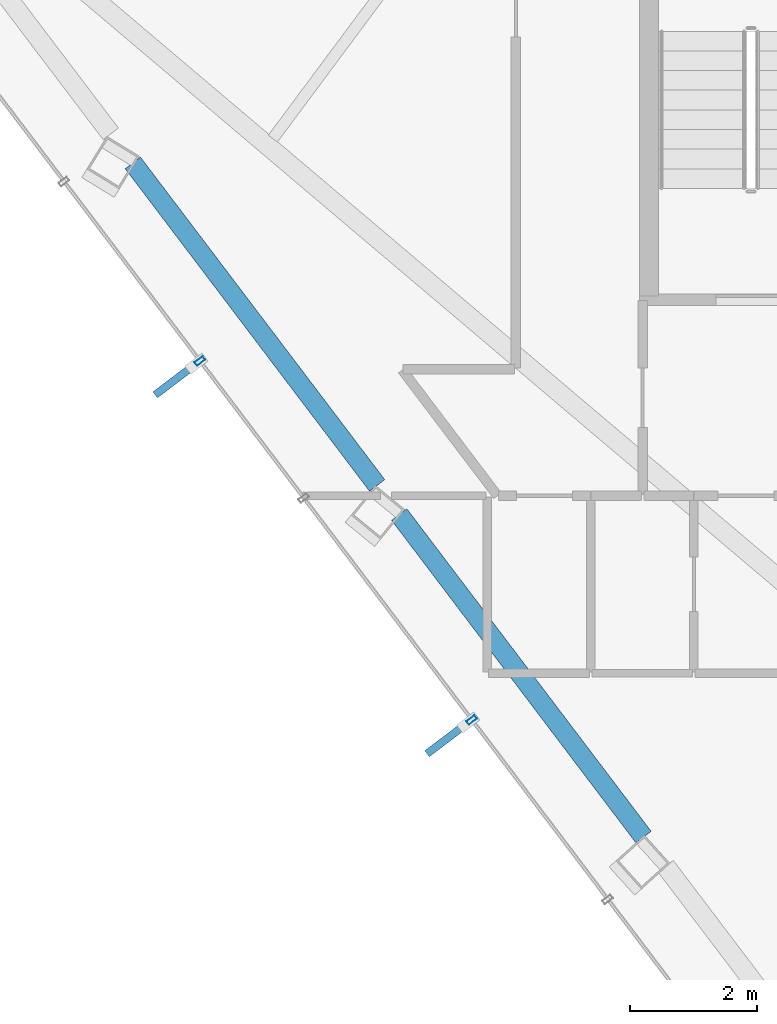
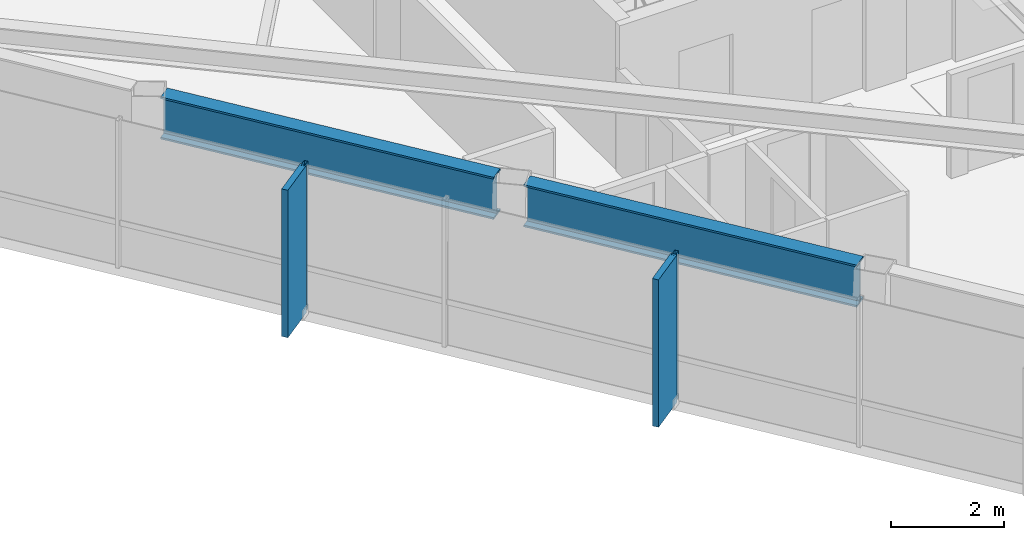
# One storey, part 3 of 27: 4 members, 2 beams, 1 element without a shape of its own.
"""IFC4 building model written with IfcOpenShell, lengths in metres."""

from ifc_helpers import new_model, si_unit, direction, frame, origin, origin_2d, place, context, subcontext, project, spatial, rectangle, hollow_rectangle, i_section, extrude, material, layer, layer_set, material_profile, profile_set, type_object, element, aggregate, save


model = new_model("IFC4")

# Units and contexts
model_context = context("Model", 3, precision=1e-05, world=origin(), true_north=direction((0.0, 1.0)))
body_context = subcontext(model_context, "Body", "Model", "MODEL_VIEW")
ifc_project = project(units=[si_unit("LENGTHUNIT", "METRE"), si_unit("AREAUNIT", "SQUARE_METRE"), si_unit("VOLUMEUNIT", "CUBIC_METRE"), si_unit("PLANEANGLEUNIT", "RADIAN"), si_unit("MASSUNIT", "GRAM", prefix="KILO")], contexts=[model_context])

# Site, building, storey
site_placement = place(None, origin())
site = spatial("IfcSite", under=ifc_project, at=site_placement, CompositionType="ELEMENT")
building_placement = place(site_placement, origin())
building = spatial("IfcBuilding", under=site, at=building_placement, Name="Zarrinselat Tower", CompositionType="ELEMENT")
storey_placement = place(building_placement, frame((0.0, 0.0, 225.760009765625)))
storey = spatial("IfcBuildingStorey", under=building, at=storey_placement, Name="L56", CompositionType="ELEMENT", Elevation=225.760009765625)

# Beams
ifc_material_1 = material(Name="Steel S460M", Category="steel")
ifc_material_profile_1 = material_profile(ifc_material_1, i_section(OverallWidth=0.302001953125, OverallDepth=0.909912109375, WebThickness=0.02099609375, FlangeThickness=0.0400390625, at=origin_2d()), Name="HEM 900")
ifc_profile_set_1 = profile_set([ifc_material_profile_1], Name="Steel S460M")
beam_type = type_object("IfcBeamType", Name="BM-HEM900", PredefinedType="BEAM", material=ifc_profile_set_1)
for number, where, z_axis, x_axis, name in (
    (1, (20.504638671875, 35.402587890625, 2.72509765625), (0.60388933811, -0.797068169806, 0.0), (0.797068169806, 0.60388933811, 0.0), "L56 Perimeter Spandrel Girder SP07"),
    (2, (24.708740234375, 29.853271484375, 2.72509765625), (0.603846647115, -0.797100512337, 0.0), (0.797100512337, 0.603846647115, 0.0), "L56 Perimeter Spandrel Girder SP08"),
):
    element("IfcBeam", number, at=place(storey_placement, frame(where, z_axis=z_axis, x_axis=x_axis)), inside=storey, type_object=beam_type, Name=name, PredefinedType="BEAM", context=body_context, shape_type="SweptSolid", body=[
        extrude(i_section(OverallWidth=0.302001953125, OverallDepth=0.909912109375, WebThickness=0.02099609375, FlangeThickness=0.0400390625, at=origin_2d()), origin(), (0.0, 0.0, 1.0), 6.385986328125),
    ])

# Curtain wall, members
ifc_material_2 = material(Name="Extruded Aluminium Alloy EN AW-6063 T6", Category="aluminium")
ifc_layer = layer(ifc_material_2, 0.169921875)
ifc_layer_set = layer_set([ifc_layer], Name="Extruded Aluminium Alloy EN AW-6063 T6")
curtain_wall_type = type_object("IfcCurtainWallType", Name="CWS-RES", PredefinedType="NOTDEFINED", material=ifc_layer_set)
curtain_wall_placement = place(storey_placement, origin())
curtain_wall = element("IfcCurtainWall", 3, at=curtain_wall_placement, inside=storey, type_object=curtain_wall_type, Name="L56 Unitised Curtain Wall CW-L56-E03", PredefinedType="NOTDEFINED")
ifc_material_3 = material(Name="Extruded Aluminium Alloy EN AW-6063 T6", Category="aluminium")
ifc_material_profile_2 = material_profile(ifc_material_3, hollow_rectangle(XDim=0.070068359375, YDim=0.159912109375, WallThickness=0.00390625, at=origin_2d()), Name="RHS 160x70x4")
ifc_profile_set_2 = profile_set([ifc_material_profile_2], Name="Extruded Aluminium Alloy EN AW-6063 T6")
member_type_1 = type_object("IfcMemberType", Name="MEM-CW-MUL2", PredefinedType="MULLION", material=ifc_profile_set_2)
member_1_placement = place(storey_placement, frame((21.562744140625, 32.2763671875, 0.0), z_axis=(0.0, 0.0, 1.0), x_axis=(0.603859787908, -0.797090557307, 0.0)))
member_1 = element("IfcMember", 4, at=member_1_placement, type_object=member_type_1, Name="CW-L56-E03 Mullion 3", PredefinedType="MULLION", context=body_context, shape_type="SweptSolid", body=[
    extrude(hollow_rectangle(XDim=0.070068359375, YDim=0.159912109375, WallThickness=0.00390625, at=origin_2d()), origin(), (0.0, 0.0, 1.0), 3.179931640625),
])
member_2_placement = place(storey_placement, frame((25.853515625, 26.6123046875, 0.0), z_axis=(0.0, 0.0, 1.0), x_axis=(0.603859787908, -0.797090557307, 0.0)))
member_2 = element("IfcMember", 5, at=member_2_placement, type_object=member_type_1, Name="CW-L56-E03 Mullion 5", PredefinedType="MULLION", context=body_context, shape_type="SweptSolid", body=[
    extrude(hollow_rectangle(XDim=0.070068359375, YDim=0.159912109375, WallThickness=0.00390625, at=origin_2d()), origin(), (0.0, 0.0, 1.0), 3.179931640625),
])
ifc_material_4 = material(Name="Honed Cream Travertine Stone", Category="masonry")
ifc_material_profile_3 = material_profile(ifc_material_4, rectangle(XDim=0.1201171875, YDim=0.85009765625, at=origin_2d()), Name="FIN 850x120")
ifc_profile_set_3 = profile_set([ifc_material_profile_3], Name="Honed Cream Travertine Stone")
member_type_2 = type_object("IfcMemberType", Name="MEM-STONE-FIN", PredefinedType="USERDEFINED", material=ifc_profile_set_3)
member_3_placement = place(storey_placement, frame((21.196044921875, 31.99853515625, 0.0), z_axis=(0.0, 0.0, 1.0), x_axis=(-0.603859787908, 0.797090557307, 0.0)))
member_3 = element("IfcMember", 6, at=member_3_placement, type_object=member_type_2, Name="L56 Stone Shading Fin CW-L56-E03-03", ObjectType="FIN", PredefinedType="USERDEFINED", context=body_context, shape_type="SweptSolid", body=[
    extrude(rectangle(XDim=0.1201171875, YDim=0.85009765625, at=origin_2d()), origin(), (0.0, 0.0, 1.0), 3.179931640625),
])
member_4_placement = place(storey_placement, frame((25.48681640625, 26.334716796875, 0.0), z_axis=(0.0, 0.0, 1.0), x_axis=(-0.603859787908, 0.797090557307, 0.0)))
member_4 = element("IfcMember", 7, at=member_4_placement, type_object=member_type_2, Name="L56 Stone Shading Fin CW-L56-E03-05", ObjectType="FIN", PredefinedType="USERDEFINED", context=body_context, shape_type="SweptSolid", body=[
    extrude(rectangle(XDim=0.1201171875, YDim=0.85009765625, at=origin_2d()), origin(), (0.0, 0.0, 1.0), 3.179931640625),
])
aggregate(curtain_wall, [member_1, member_3, member_2, member_4])

save(model, "model.ifc")
